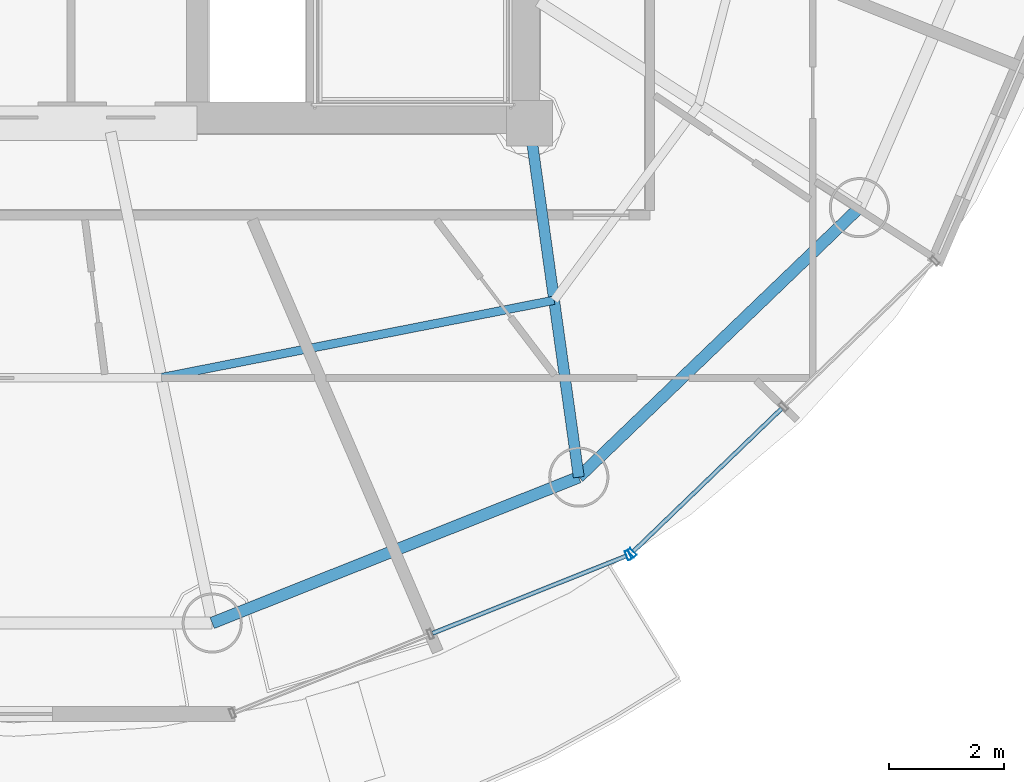
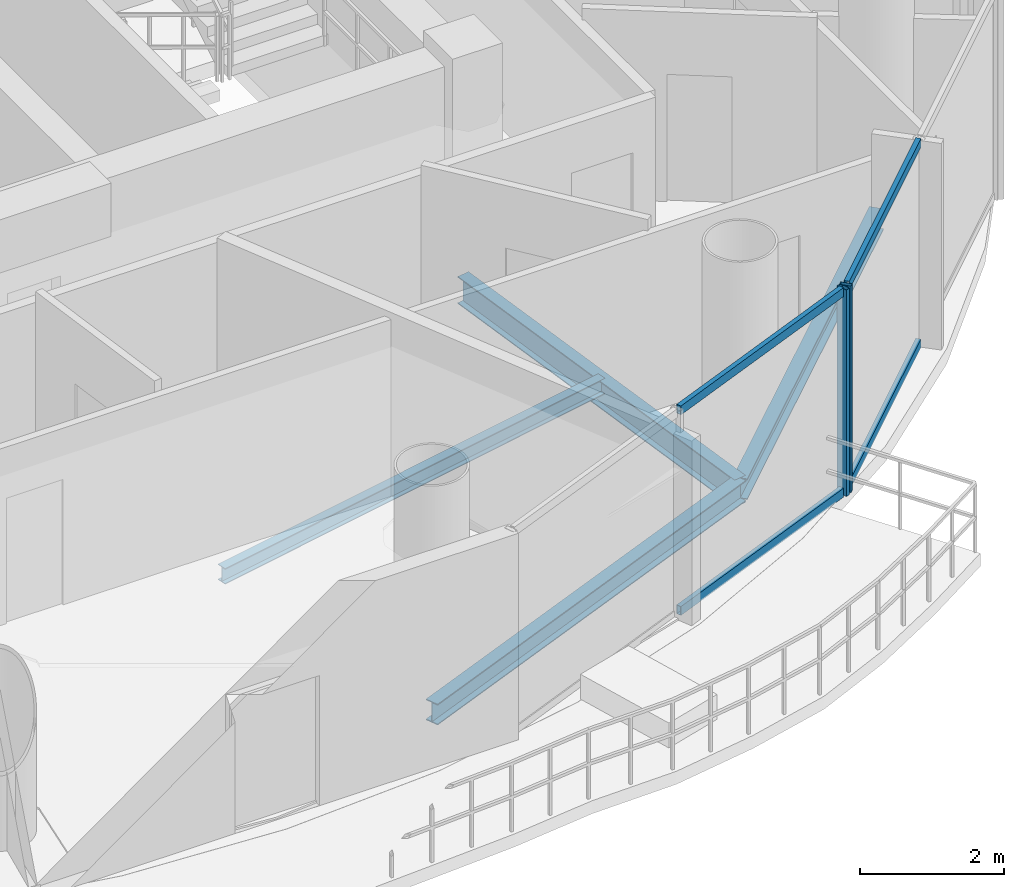
# One storey, part 6 of 24: 6 members, 4 beams, 2 elements without a shape of their own.
"""IFC4 building model written with IfcOpenShell, lengths in metres."""

import ifcopenshell
import ifcopenshell.guid

model = None  # the IFC model being written
_history = None  # IfcOwnerHistory: only IFC2X3 demands one
_inside = {}  # id of a spatial element -> (the spatial element, [elements in it])
_under = {}  # id of a project, library or spatial element -> (it, [spatial elements below it])
_declared = {}  # id of a project -> (the project, [libraries it declares])
_typed = {}  # id of a type object -> (the type object, [elements of that type])
_made_of = {}  # id of a material, layer set ... -> (it, [elements and type objects made of it])


def new_model(schema):
    """Start an empty IFC model of exactly this schema.

    Asked for "IFC4X3", IfcOpenShell would pick the latest addendum, in which some entities
    have other attributes; the version numbers below select the first issue.
    IFC2X3 requires an IfcOwnerHistory on every rooted entity: one is made here for all.
    """
    global model, _history
    if schema == "IFC4X3":
        model = ifcopenshell.file(schema_version=(4, 3, 0, 0))
    else:
        model = ifcopenshell.file(schema=schema)
    _inside.clear()
    _under.clear()
    _declared.clear()
    _typed.clear()
    _made_of.clear()
    _history = None
    if model.schema == "IFC2X3":
        org = make("IfcOrganization", Name="unknown")
        user = make(
            "IfcPersonAndOrganization",
            ThePerson=make("IfcPerson", FamilyName="unknown"),
            TheOrganization=org,
        )
        app = make(
            "IfcApplication",
            ApplicationDeveloper=org,
            Version="unknown",
            ApplicationFullName="unknown",
            ApplicationIdentifier="unknown",
        )
        _history = make(
            "IfcOwnerHistory",
            OwningUser=user,
            OwningApplication=app,
            ChangeAction="ADDED",
            CreationDate=0,
        )
    return model


def make(cls, **values):
    """One entity of the class cls with the attributes given. An attribute that is None is left unset."""
    return model.create_entity(
        cls, **{name: value for name, value in values.items() if value is not None}
    )


def rooted(cls, **values):
    """An entity with a GlobalId (a new one), such as an element, a storey or a relation."""
    return make(cls, GlobalId=ifcopenshell.guid.new(), OwnerHistory=_history, **values)


def si_unit(unit_type, name, prefix=None):
    """IfcSIUnit, for example si_unit("LENGTHUNIT", "METRE", prefix="MILLI")."""
    return make("IfcSIUnit", UnitType=unit_type, Prefix=prefix, Name=name)


def assignment(units):
    """IfcUnitAssignment: the units of a project."""
    return None if units is None else make("IfcUnitAssignment", Units=units)


def point(xyz):
    """IfcCartesianPoint."""
    return None if xyz is None else make("IfcCartesianPoint", Coordinates=xyz)


def direction(xyz):
    """IfcDirection."""
    return None if xyz is None else make("IfcDirection", DirectionRatios=xyz)


def frame(location, z_axis=None, x_axis=None):
    """IfcAxis2Placement3D, a coordinate frame: its origin and axes. An axis left out is left unset."""
    return make(
        "IfcAxis2Placement3D",
        Location=point(location),
        Axis=direction(z_axis),
        RefDirection=direction(x_axis),
    )


def frame_2d(location, x_axis=None):
    """IfcAxis2Placement2D, a coordinate frame in the plane: its origin and x axis."""
    return make(
        "IfcAxis2Placement2D", Location=point(location), RefDirection=direction(x_axis)
    )


def origin():
    """The frame at (0, 0, 0) with its axes left unset."""
    return frame((0.0, 0.0, 0.0))


def origin_2d():
    """The frame at (0, 0) in the plane with its x axis left unset."""
    return frame_2d((0.0, 0.0))


def place(relative_to, where):
    """IfcLocalPlacement: puts the frame where relative to a parent placement (None: the world)."""
    return make(
        "IfcLocalPlacement", PlacementRelTo=relative_to, RelativePlacement=where
    )


def context(
    kind, dimensions, precision=None, world=None, true_north=None, identifier=None
):
    """IfcGeometricRepresentationContext, for example the 3D "Model" context."""
    return make(
        "IfcGeometricRepresentationContext",
        ContextIdentifier=identifier,
        ContextType=kind,
        CoordinateSpaceDimension=dimensions,
        Precision=precision,
        WorldCoordinateSystem=world,
        TrueNorth=true_north,
    )


def subcontext(parent, identifier, kind, view, scale=None):
    """IfcGeometricRepresentationSubContext, for example "Body" below "Model"."""
    return make(
        "IfcGeometricRepresentationSubContext",
        ContextIdentifier=identifier,
        ContextType=kind,
        ParentContext=parent,
        TargetScale=scale,
        TargetView=view,
    )


def project(units=None, contexts=None):
    """IfcProject with its units and contexts."""
    return rooted(
        "IfcProject",
        Name="project",
        RepresentationContexts=contexts,
        UnitsInContext=assignment(units),
    )


def spatial(cls, under=None, at=None, **own):
    """A site, building, storey or space (cls), placed at a placement, below another one or the project."""
    s = rooted(cls, ObjectPlacement=at, **own)
    if under is not None:
        _under.setdefault(under.id(), (under, []))[1].append(s)
    return s


def profile(cls, at=None, kind="AREA", **sizes):
    """A parametric profile (cls). Its sizes go by their IFC names, for example OverallWidth=200.0."""
    return make(cls, ProfileType=kind, Position=at, **sizes)


def hollow_rectangle(**sizes):
    """IfcRectangleHollowProfileDef."""
    return profile("IfcRectangleHollowProfileDef", **sizes)


def i_section(**sizes):
    """IfcIShapeProfileDef."""
    return profile("IfcIShapeProfileDef", **sizes)


def extrude(swept, where, along, depth):
    """IfcExtrudedAreaSolid: the profile swept, set in the frame where, extruded along a direction by depth."""
    return make(
        "IfcExtrudedAreaSolid",
        SweptArea=swept,
        Position=where,
        ExtrudedDirection=direction(along),
        Depth=depth,
    )


def shape(context_of_items, identifier, shape_type, items):
    """IfcShapeRepresentation: the items that make up one representation, for example the "Body"."""
    return make(
        "IfcShapeRepresentation",
        ContextOfItems=context_of_items,
        RepresentationIdentifier=identifier,
        RepresentationType=shape_type,
        Items=items,
    )


def source(mapping_origin, context_of_items, identifier, shape_type, items):
    """IfcRepresentationMap: a shape defined once, which mapped items show again and again."""
    return make(
        "IfcRepresentationMap",
        MappingOrigin=mapping_origin,
        MappedRepresentation=shape(context_of_items, identifier, shape_type, items),
    )


def transform(
    local_origin,
    x_axis=None,
    y_axis=None,
    z_axis=None,
    scale=None,
    scale2=None,
    scale3=None,
    uniform=True,
):
    """IfcCartesianTransformationOperator3D, or its non-uniform kind. x_axis, y_axis, z_axis: its Axis1, 2, 3."""
    if uniform:
        return make(
            "IfcCartesianTransformationOperator3D",
            Axis1=direction(x_axis),
            Axis2=direction(y_axis),
            LocalOrigin=point(local_origin),
            Scale=scale,
            Axis3=direction(z_axis),
        )
    return make(
        "IfcCartesianTransformationOperator3DnonUniform",
        Axis1=direction(x_axis),
        Axis2=direction(y_axis),
        LocalOrigin=point(local_origin),
        Scale=scale,
        Axis3=direction(z_axis),
        Scale2=scale2,
        Scale3=scale3,
    )


def mapped(mapping_source, mapping_target):
    """IfcMappedItem: shows the shape of a source again, moved by a transform."""
    return make(
        "IfcMappedItem", MappingSource=mapping_source, MappingTarget=mapping_target
    )


def material(Name=None, Category=None):
    """IfcMaterial."""
    return make("IfcMaterial", Name=Name, Category=Category)


def material_profile(
    of_material, cross_section, Name=None, Category=None, Priority=None
):
    """IfcMaterialProfile: a cross section and its material."""
    return make(
        "IfcMaterialProfile",
        Name=Name,
        Material=of_material,
        Profile=cross_section,
        Priority=Priority,
        Category=Category,
    )


def profile_set(profiles, Name=None, composite=None):
    """IfcMaterialProfileSet."""
    return make(
        "IfcMaterialProfileSet",
        Name=Name,
        MaterialProfiles=profiles,
        CompositeProfile=composite,
    )


def made_of(thing, what):
    """Note that an element or type object is made of a material, layer set ...; save() writes the relation."""
    if what is not None:
        _made_of.setdefault(what.id(), (what, []))[1].append(thing)
    return thing


def type_object(cls, material=None, **own):
    """A type object (cls), such as IfcWallType, which elements share."""
    return made_of(rooted(cls, **own), material)


def element(
    cls,
    number,
    at=None,
    inside=None,
    cuts=None,
    type_object=None,
    material=None,
    context=None,
    identifier="Body",
    shape_type=None,
    held_by="IfcProductDefinitionShape",
    body=None,
    shapes=None,
    **own,
):
    """One element of the class cls, such as IfcWall. Its Tag is "e" and its number.

    at: its placement. inside: the storey or other place that contains it. cuts: it is an
    opening in that element (IfcRelVoidsElement). A single representation is given by context,
    identifier, shape_type and body (its items); several are given by shapes. held_by: the class
    of the entity that holds the representations. save() writes the other relations.
    """
    e = rooted(cls, Tag="e%d" % number, ObjectPlacement=at, **own)
    if body is not None:
        shapes = [shape(context, identifier, shape_type, body)]
    if shapes is not None:
        e.Representation = make(held_by, Representations=shapes)
    if inside is not None:
        _inside.setdefault(inside.id(), (inside, []))[1].append(e)
    if cuts is not None:
        rooted(
            "IfcRelVoidsElement", RelatingBuildingElement=cuts, RelatedOpeningElement=e
        )
    if type_object is not None:
        _typed.setdefault(type_object.id(), (type_object, []))[1].append(e)
    return made_of(e, material)


def aggregate(whole, parts):
    """IfcRelAggregates: a whole, such as a stair, and the parts it consists of."""
    return rooted("IfcRelAggregates", RelatingObject=whole, RelatedObjects=parts)


def save(model, path):
    """Write the relations noted so far, then the file.

    IfcRelAggregates (storeys below a building ...), IfcRelContainedInSpatialStructure (elements
    in a storey), IfcRelDefinesByType, IfcRelAssociatesMaterial and IfcRelDeclares: one each for
    every whole, place, type object, material and project.
    """
    for whole, parts in _under.values():
        aggregate(whole, parts)
    for where, things in _inside.values():
        rooted(
            "IfcRelContainedInSpatialStructure",
            RelatedElements=things,
            RelatingStructure=where,
        )
    for kind, things in _typed.values():
        rooted("IfcRelDefinesByType", RelatedObjects=things, RelatingType=kind)
    for what, things in _made_of.values():
        rooted("IfcRelAssociatesMaterial", RelatedObjects=things, RelatingMaterial=what)
    for by, libraries in _declared.values():
        rooted("IfcRelDeclares", RelatingContext=by, RelatedDefinitions=libraries)
    model.write(path)


model = new_model("IFC4")

# Units and contexts
model_context = context("Model", 3, precision=1e-05, world=origin(), true_north=direction((-0.2419218956, 0.970295726276)))
body_context = subcontext(model_context, "Body", "Model", "MODEL_VIEW")
ifc_project = project(units=[si_unit("LENGTHUNIT", "METRE"), si_unit("AREAUNIT", "SQUARE_METRE"), si_unit("VOLUMEUNIT", "CUBIC_METRE"), si_unit("PLANEANGLEUNIT", "RADIAN"), si_unit("MASSUNIT", "GRAM", prefix="KILO")], contexts=[model_context])

# Site, building, storey
site_placement = place(None, origin())
site = spatial("IfcSite", under=ifc_project, at=site_placement, CompositionType="ELEMENT")
building_placement = place(site_placement, origin())
building = spatial("IfcBuilding", under=site, at=building_placement, Name="Cobrevalo Terracotta Tower", CompositionType="ELEMENT")
storey_placement = place(building_placement, frame((0.0, 0.0, 274.449951171875)))
storey = spatial("IfcBuildingStorey", under=building, at=storey_placement, Name="L72", CompositionType="ELEMENT", Elevation=274.449951171875)

# Beams
ifc_material_1 = material(Name="Steel S355", Category="steel")
ifc_material_profile_1 = material_profile(ifc_material_1, i_section(OverallWidth=0.19091796875, OverallDepth=0.4599609375, WebThickness=0.010009765625, FlangeThickness=0.01611328125, at=origin_2d()), Name="W 460x82")
ifc_profile_set_1 = profile_set([ifc_material_profile_1], Name="Steel S355")
beam_type_1 = type_object("IfcBeamType", Name="Structural Beam W 460x82 (Steel S355)", PredefinedType="BEAM", material=ifc_profile_set_1)
beam_1_placement = place(storey_placement, frame((47.861328125, 12.62353515625, -0.489990234375), z_axis=(-0.138115657759, 0.990416107039, 0.0), x_axis=(-0.990416107039, -0.138115657759, 0.0)))
element("IfcBeam", 1, at=beam_1_placement, inside=storey, type_object=beam_type_1, Name="L72 radial floor girder 14", PredefinedType="BEAM", context=body_context, shape_type="SweptSolid", body=[
    extrude(i_section(OverallWidth=0.19091796875, OverallDepth=0.4599609375, WebThickness=0.010009765625, FlangeThickness=0.01611328125, at=origin_2d()), origin(), (0.0, 0.0, 1.0), 6.236328125),
])
ifc_material_profile_2 = material_profile(ifc_material_1, i_section(OverallWidth=0.14794921875, OverallDepth=0.26611328125, WebThickness=0.007568359375, FlangeThickness=0.012939453125, at=origin_2d()), Name="W 250x44.8")
ifc_profile_set_2 = profile_set([ifc_material_profile_2], Name="Steel S355")
beam_type_2 = type_object("IfcBeamType", Name="Structural Joist W 250x44.8 (Steel S355)", PredefinedType="JOIST", material=ifc_profile_set_2)
beam_2_placement = place(storey_placement, frame((40.57568359375, 14.361328125, -0.39306640625), z_axis=(0.981145060421, 0.193272787563, 0.0), x_axis=(-0.193272787563, 0.981145060421, 0.0)))
element("IfcBeam", 2, at=beam_2_placement, inside=storey, type_object=beam_type_2, Name="L72 circumferential secondary floor joist 13", PredefinedType="JOIST", context=body_context, shape_type="SweptSolid", body=[
    extrude(i_section(OverallWidth=0.14794921875, OverallDepth=0.26611328125, WebThickness=0.007568359375, FlangeThickness=0.012939453125, at=origin_2d()), origin(), (0.0, 0.0, 1.0), 6.98681640625),
])
ifc_material_profile_3 = material_profile(ifc_material_1, i_section(OverallWidth=0.205078125, OverallDepth=0.35400390625, WebThickness=0.009521484375, FlangeThickness=0.016845703125, at=origin_2d()), Name="W 360x79")
ifc_profile_set_3 = profile_set([ifc_material_profile_3], Name="Steel S355")
beam_type_3 = type_object("IfcBeamType", Name="Structural Spandrel W 360x79 (Steel S355)", PredefinedType="SPANDREL", material=ifc_profile_set_3)
beam_3_placement = place(storey_placement, frame((41.462890625, 10.07763671875, -0.43701171875), z_axis=(0.929149986048, 0.369702993533, 0.0), x_axis=(-0.369702993533, 0.929149986048, 0.0)))
element("IfcBeam", 3, at=beam_3_placement, inside=storey, type_object=beam_type_3, Name="L72 perimeter ring spandrel 13", PredefinedType="SPANDREL", context=body_context, shape_type="SweptSolid", body=[
    extrude(i_section(OverallWidth=0.205078125, OverallDepth=0.35400390625, WebThickness=0.009521484375, FlangeThickness=0.016845703125, at=origin_2d()), origin(), (0.0, 0.0, 1.0), 6.88623046875),
])
beam_4_placement = place(storey_placement, frame((47.861328125, 12.62353515625, -0.43701171875), z_axis=(0.721183246144, 0.692744343522, 0.0), x_axis=(-0.692744343522, 0.721183246144, 0.0)))
element("IfcBeam", 4, at=beam_4_placement, inside=storey, type_object=beam_type_3, Name="L72 perimeter ring spandrel 14", PredefinedType="SPANDREL", context=body_context, shape_type="SweptSolid", body=[
    extrude(i_section(OverallWidth=0.205078125, OverallDepth=0.35400390625, WebThickness=0.009521484375, FlangeThickness=0.016845703125, at=origin_2d()), origin(), (0.0, 0.0, 1.0), 6.79052734375),
])

# Curtain wall, member
ifc_material_2 = material(Name="Anodized aluminium", Category="aluminium")
curtain_wall_type = type_object("IfcCurtainWallType", Name="Upper-tower triple-glazed penthouse curtain wall CW-U3", PredefinedType="NOTDEFINED", material=ifc_material_2)
curtain_wall_1_placement = place(storey_placement, origin())
curtain_wall_1 = element("IfcCurtainWall", 5, at=curtain_wall_1_placement, inside=storey, type_object=curtain_wall_type, Name="L72 curtain wall CW-L72-S13", PredefinedType="NOTDEFINED")
ifc_material_profile_4 = material_profile(ifc_material_2, hollow_rectangle(XDim=0.070068359375, YDim=0.169921875, WallThickness=0.00439453125, at=origin_2d()), Name="CWM 70x170")
ifc_profile_set_4 = profile_set([ifc_material_profile_4], Name="Anodized aluminium")
member_type_1 = type_object("IfcMemberType", Name="Upper tower unitised mullion 70x170", PredefinedType="MULLION", material=ifc_profile_set_4)
shared_shape_1 = source(origin(), body_context, "Body", "SweptSolid", [
    extrude(hollow_rectangle(XDim=0.070068359375, YDim=0.169921875, WallThickness=0.00439453125, at=origin_2d()), origin(), (0.0, 0.0, 1.0), 3.489990234375),
])
member_1_placement = place(storey_placement, frame((48.724365234375, 11.26171875, 0.0), z_axis=(0.0, 0.0, 1.0), x_axis=(0.928718980883, 0.370784377433, 0.0)))
member_1 = element("IfcMember", 6, at=member_1_placement, type_object=member_type_1, Name="CW-L72-S13 vertical mullion 03", PredefinedType="MULLION", context=body_context, shape_type="MappedRepresentation", body=[
    mapped(shared_shape_1, transform((0.0, 0.0, 0.0), scale=1.0)),
])

# Curtain wall, members
curtain_wall_2_placement = place(storey_placement, origin())
curtain_wall_2 = element("IfcCurtainWall", 7, at=curtain_wall_2_placement, inside=storey, type_object=curtain_wall_type, Name="L72 curtain wall CW-L72-S14", PredefinedType="NOTDEFINED")
member_2_placement = place(storey_placement, frame((48.790283203125, 11.30419921875, 0.0), z_axis=(0.0, 0.0, 1.0), x_axis=(0.71999418085, 0.69398010025, 0.0)))
member_2 = element("IfcMember", 8, at=member_2_placement, type_object=member_type_1, Name="CW-L72-S14 vertical mullion 01", PredefinedType="MULLION", context=body_context, shape_type="MappedRepresentation", body=[
    mapped(shared_shape_1, transform((0.0, 0.0, 0.0), scale=1.0)),
])
ifc_material_profile_5 = material_profile(ifc_material_2, hollow_rectangle(XDim=0.074951171875, YDim=0.14990234375, WallThickness=0.00439453125, at=origin_2d()), Name="CWT 75x150")
ifc_profile_set_5 = profile_set([ifc_material_profile_5], Name="Anodized aluminium")
member_type_2 = type_object("IfcMemberType", Name="Tower unitised aluminium transom 75x150", PredefinedType="USERDEFINED", material=ifc_profile_set_5)
shared_shape_2 = source(origin(), body_context, "Body", "SweptSolid", [
    extrude(hollow_rectangle(XDim=0.074951171875, YDim=0.14990234375, WallThickness=0.00439453125, at=origin_2d()), origin(), (0.0, 0.0, 1.0), 3.59130859375),
])
member_3_placement = place(storey_placement, frame((48.819091796875, 11.33203125, 0.050048828125), z_axis=(0.720005628362, 0.693968223427, 0.0), x_axis=(-0.693968223427, 0.720005628362, 0.0)))
member_3 = element("IfcMember", 9, at=member_3_placement, type_object=member_type_2, Name="CW-L72-S14 transom B01-T1", ObjectType="TRANSOM", PredefinedType="USERDEFINED", context=body_context, shape_type="MappedRepresentation", body=[
    mapped(shared_shape_2, transform((0.0, 0.0, 0.0), scale=1.0)),
])
member_4_placement = place(storey_placement, frame((48.819091796875, 11.33203125, 3.43994140625), z_axis=(0.720005628362, 0.693968223427, 0.0), x_axis=(-0.693968223427, 0.720005628362, 0.0)))
member_4 = element("IfcMember", 10, at=member_4_placement, type_object=member_type_2, Name="CW-L72-S14 transom B01-T2", ObjectType="TRANSOM", PredefinedType="USERDEFINED", context=body_context, shape_type="MappedRepresentation", body=[
    mapped(shared_shape_2, transform((0.0, 0.0, 0.0), scale=1.0)),
])
aggregate(curtain_wall_2, [member_2, member_3, member_4])

# Member
shared_shape_3 = source(origin(), body_context, "Body", "SweptSolid", [
    extrude(hollow_rectangle(XDim=0.074951171875, YDim=0.14990234375, WallThickness=0.00439453125, at=origin_2d()), origin(), (0.0, 0.0, 1.0), 3.63916015625),
])
member_5_placement = place(storey_placement, frame((45.307373046875, 9.8974609375, 0.050048828125), z_axis=(0.928712471544, 0.370800681227, 0.0), x_axis=(-0.370800681227, 0.928712471544, 0.0)))
member_5 = element("IfcMember", 11, at=member_5_placement, type_object=member_type_2, Name="CW-L72-S13 transom B02-T1", ObjectType="TRANSOM", PredefinedType="USERDEFINED", context=body_context, shape_type="MappedRepresentation", body=[
    mapped(shared_shape_3, transform((0.0, 0.0, 0.0), scale=1.0)),
])

member_6_placement = place(storey_placement, frame((45.307373046875, 9.8974609375, 3.43994140625), z_axis=(0.928712471544, 0.370800681227, 0.0), x_axis=(-0.370800681227, 0.928712471544, 0.0)))
member_6 = element("IfcMember", 12, at=member_6_placement, type_object=member_type_2, Name="CW-L72-S13 transom B02-T2", ObjectType="TRANSOM", PredefinedType="USERDEFINED", context=body_context, shape_type="MappedRepresentation", body=[
    mapped(shared_shape_3, transform((0.0, 0.0, 0.0), scale=1.0)),
])

aggregate(curtain_wall_1, [member_1, member_5, member_6])

save(model, "model.ifc")
